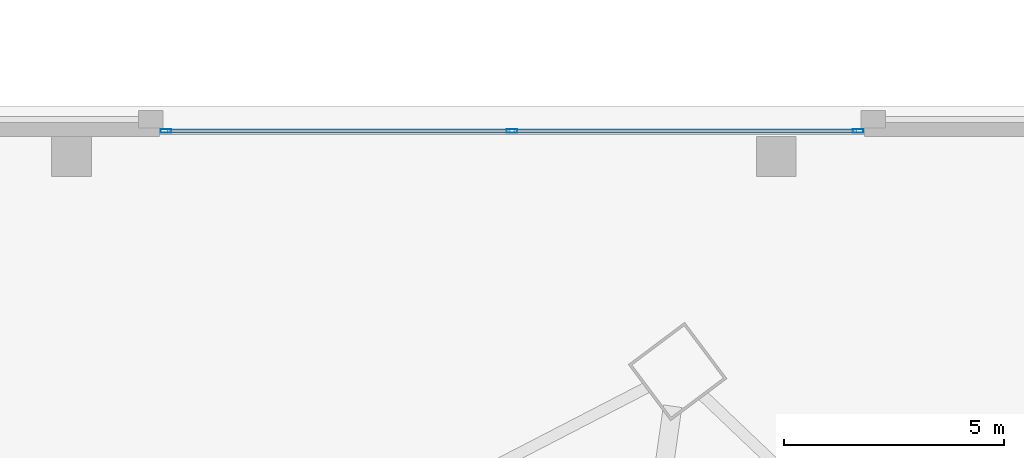
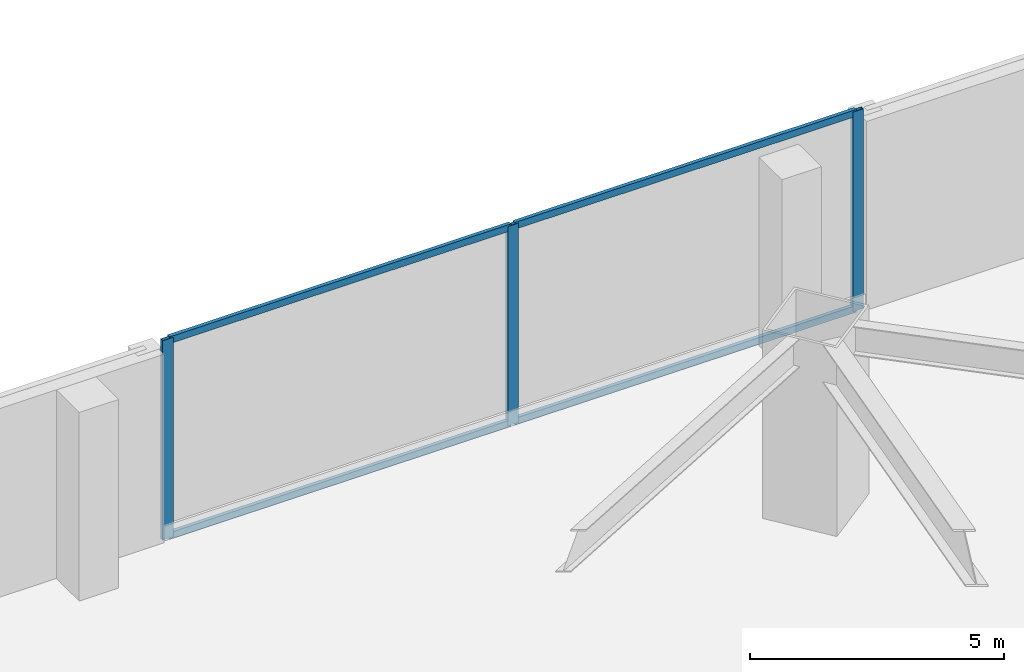
# One storey, part 24 of 44: 7 members, 1 element without a shape of its own.
"""IFC4 building model written with IfcOpenShell, lengths in metres."""

from ifc_helpers import new_model, si_unit, direction, frame, origin, origin_2d, place, context, subcontext, project, spatial, hollow_rectangle, extrude, material, material_profile, profile_set, type_object, element, aggregate, save


model = new_model("IFC4")

# Units and contexts
model_context = context("Model", 3, precision=1e-05, world=origin(), true_north=direction((0.0, 1.0)))
body_context = subcontext(model_context, "Body", "Model", "MODEL_VIEW")
ifc_project = project(units=[si_unit("LENGTHUNIT", "METRE"), si_unit("AREAUNIT", "SQUARE_METRE"), si_unit("VOLUMEUNIT", "CUBIC_METRE"), si_unit("PLANEANGLEUNIT", "RADIAN"), si_unit("MASSUNIT", "GRAM", prefix="KILO")], contexts=[model_context])

# Site, building, storey
site_placement = place(None, origin())
site = spatial("IfcSite", under=ifc_project, at=site_placement, CompositionType="ELEMENT")
building_placement = place(site_placement, origin())
building = spatial("IfcBuilding", under=site, at=building_placement, Name="Tashvorn Skyway Center", CompositionType="ELEMENT")
storey_placement = place(building_placement, frame((0.0, 0.0, 5.39990234375)))
storey = spatial("IfcBuildingStorey", under=building, at=storey_placement, Name="L01", CompositionType="ELEMENT", Elevation=5.39990234375)

# Curtain wall, members
ifc_material = material(Name="Thermally broken bronze-anodized aluminium 6063-T6", Category="aluminium")
curtain_wall_type = type_object("IfcCurtainWallType", Name="CW-CW-Z1", PredefinedType="NOTDEFINED", material=ifc_material)
curtain_wall_placement = place(storey_placement, origin())
curtain_wall = element("IfcCurtainWall", 1, at=curtain_wall_placement, inside=storey, type_object=curtain_wall_type, Name="L01 North Station Arcade Curtain Wall 3", PredefinedType="NOTDEFINED")
ifc_material_profile_1 = material_profile(ifc_material, hollow_rectangle(XDim=0.0849609375, YDim=0.239990234375, WallThickness=0.0048828125, at=origin_2d()), Name="ALU-MULL-85x240")
ifc_profile_set_1 = profile_set([ifc_material_profile_1], Name="Thermally broken bronze-anodized aluminium 6063-T6")
member_type_1 = type_object("IfcMemberType", Name="CWM-CW-Z1", PredefinedType="MULLION", material=ifc_profile_set_1)
member_1_placement = place(storey_placement, frame((106.142578125, 63.780029296875, 0.0), z_axis=(0.0, 0.0, 1.0), x_axis=(0.0, 1.0, 0.0)))
member_1 = element("IfcMember", 2, at=member_1_placement, type_object=member_type_1, Name="CW-Z1 mullion 1", PredefinedType="MULLION", context=body_context, shape_type="SweptSolid", body=[
    extrude(hollow_rectangle(XDim=0.0849609375, YDim=0.239990234375, WallThickness=0.0048828125, at=origin_2d()), origin(), (0.0, 0.0, 1.0), 4.800048828125),
])
member_2_placement = place(storey_placement, frame((114.0, 63.780029296875, 0.0), z_axis=(0.0, 0.0, 1.0), x_axis=(0.0, 1.0, 0.0)))
member_2 = element("IfcMember", 3, at=member_2_placement, type_object=member_type_1, Name="CW-Z1 mullion 2", PredefinedType="MULLION", context=body_context, shape_type="SweptSolid", body=[
    extrude(hollow_rectangle(XDim=0.0849609375, YDim=0.239990234375, WallThickness=0.0048828125, at=origin_2d()), origin(), (0.0, 0.0, 1.0), 4.800048828125),
])
member_3_placement = place(storey_placement, frame((121.857421875, 63.780029296875, 0.0), z_axis=(0.0, 0.0, 1.0), x_axis=(0.0, 1.0, 0.0)))
member_3 = element("IfcMember", 4, at=member_3_placement, type_object=member_type_1, Name="CW-Z1 mullion 3", PredefinedType="MULLION", context=body_context, shape_type="SweptSolid", body=[
    extrude(hollow_rectangle(XDim=0.0849609375, YDim=0.239990234375, WallThickness=0.0048828125, at=origin_2d()), origin(), (0.0, 0.0, 1.0), 4.800048828125),
])
ifc_material_profile_2 = material_profile(ifc_material, hollow_rectangle(XDim=0.0849609375, YDim=0.1650390625, WallThickness=0.0048828125, at=origin_2d()), Name="ALU-TRAN-85x165")
ifc_profile_set_2 = profile_set([ifc_material_profile_2], Name="Thermally broken bronze-anodized aluminium 6063-T6")
member_type_2 = type_object("IfcMemberType", Name="CWT-CW-Z1", PredefinedType="USERDEFINED", material=ifc_profile_set_2)
member_4_placement = place(storey_placement, frame((106.18505859375, 63.780029296875, 0.04248046875), z_axis=(1.0, 0.0, 0.0), x_axis=(0.0, 1.0, 0.0)))
member_4 = element("IfcMember", 5, at=member_4_placement, type_object=member_type_2, Name="CW-Z1 transom 1.1", ObjectType="TRANSOM", PredefinedType="USERDEFINED", context=body_context, shape_type="SweptSolid", body=[
    extrude(hollow_rectangle(XDim=0.0849609375, YDim=0.1650390625, WallThickness=0.0048828125, at=origin_2d()), origin(), (0.0, 0.0, 1.0), 7.7724609375),
])
member_5_placement = place(storey_placement, frame((106.18505859375, 63.780029296875, 4.757568359375), z_axis=(1.0, 0.0, 0.0), x_axis=(0.0, 1.0, 0.0)))
member_5 = element("IfcMember", 6, at=member_5_placement, type_object=member_type_2, Name="CW-Z1 transom 1.2", ObjectType="TRANSOM", PredefinedType="USERDEFINED", context=body_context, shape_type="SweptSolid", body=[
    extrude(hollow_rectangle(XDim=0.0849609375, YDim=0.1650390625, WallThickness=0.0048828125, at=origin_2d()), origin(), (0.0, 0.0, 1.0), 7.7724609375),
])
member_6_placement = place(storey_placement, frame((114.04248046875, 63.780029296875, 0.04248046875), z_axis=(1.0, 0.0, 0.0), x_axis=(0.0, 1.0, 0.0)))
member_6 = element("IfcMember", 7, at=member_6_placement, type_object=member_type_2, Name="CW-Z1 transom 2.1", ObjectType="TRANSOM", PredefinedType="USERDEFINED", context=body_context, shape_type="SweptSolid", body=[
    extrude(hollow_rectangle(XDim=0.0849609375, YDim=0.1650390625, WallThickness=0.0048828125, at=origin_2d()), origin(), (0.0, 0.0, 1.0), 7.7724609375),
])
member_7_placement = place(storey_placement, frame((114.04248046875, 63.780029296875, 4.757568359375), z_axis=(1.0, 0.0, 0.0), x_axis=(0.0, 1.0, 0.0)))
member_7 = element("IfcMember", 8, at=member_7_placement, type_object=member_type_2, Name="CW-Z1 transom 2.2", ObjectType="TRANSOM", PredefinedType="USERDEFINED", context=body_context, shape_type="SweptSolid", body=[
    extrude(hollow_rectangle(XDim=0.0849609375, YDim=0.1650390625, WallThickness=0.0048828125, at=origin_2d()), origin(), (0.0, 0.0, 1.0), 7.7724609375),
])
aggregate(curtain_wall, [member_1, member_2, member_3, member_4, member_5, member_6, member_7])

save(model, "model.ifc")
